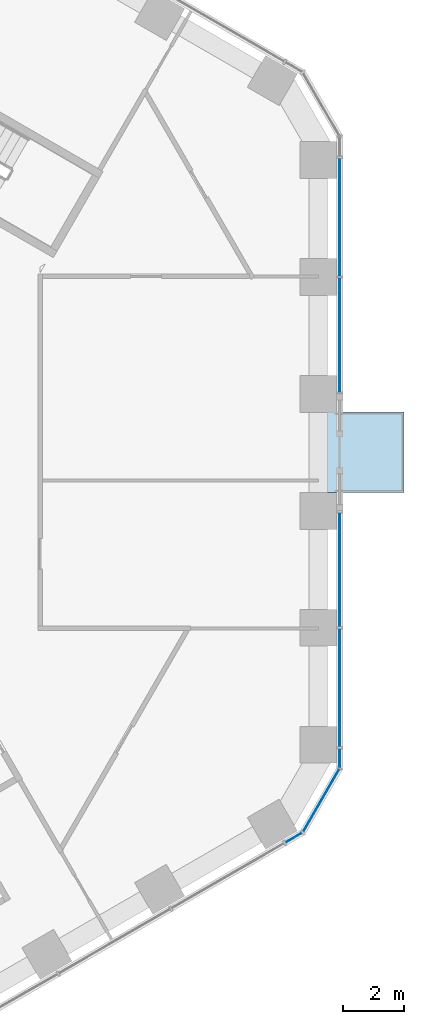
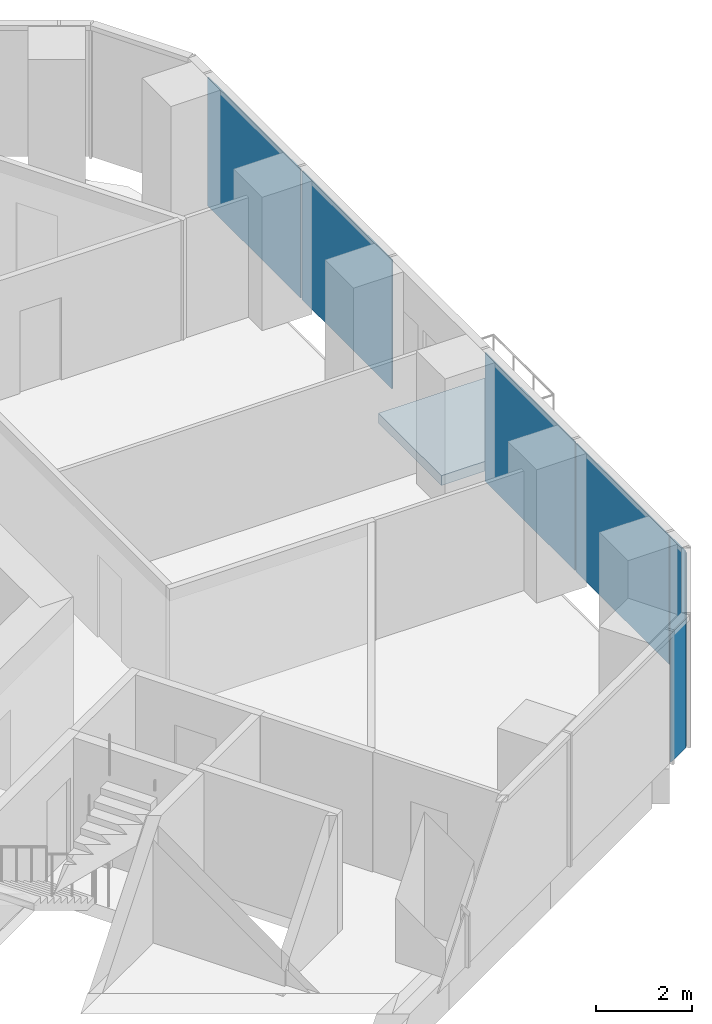
# One storey, part 11 of 20: 7 plates, 1 slab, 3 elements without a shape of their own.
"""IFC4 building model written with IfcOpenShell, lengths in metres."""

from ifc_helpers import new_model, si_unit, direction, frame, origin, origin_2d, place, context, subcontext, project, spatial, polyline, rectangle, outline, extrude, material, layer, layer_set, type_object, element, aggregate, save


model = new_model("IFC4")

# Units and contexts
model_context = context("Model", 3, precision=1e-05, world=origin(), true_north=direction((0.0, 1.0)))
body_context = subcontext(model_context, "Body", "Model", "MODEL_VIEW")
ifc_project = project(units=[si_unit("LENGTHUNIT", "METRE"), si_unit("AREAUNIT", "SQUARE_METRE"), si_unit("VOLUMEUNIT", "CUBIC_METRE"), si_unit("PLANEANGLEUNIT", "RADIAN"), si_unit("MASSUNIT", "GRAM", prefix="KILO")], contexts=[model_context])

# Site, building, storey
site_placement = place(None, origin())
site = spatial("IfcSite", under=ifc_project, at=site_placement, CompositionType="ELEMENT")
building_placement = place(site_placement, origin())
building = spatial("IfcBuilding", under=site, at=building_placement, Name="Ayvan Gate Tower", CompositionType="ELEMENT")
storey_placement = place(building_placement, frame((0.0, 0.0, 59.5)))
storey = spatial("IfcBuildingStorey", under=building, at=storey_placement, Name="L15", CompositionType="ELEMENT", Elevation=59.5)

# Slab
ifc_material_1 = material(Name="Concrete C40/50", Category="concrete")
ifc_layer_1 = layer(ifc_material_1, 0.25)
ifc_layer_set_1 = layer_set([ifc_layer_1], Name="Concrete C40/50")
slab_type = type_object("IfcSlabType", Name="Balcony slab 250", PredefinedType="FLOOR", material=ifc_layer_set_1)
slab_placement = place(storey_placement, frame((0.0, 0.0, -0.25)))
element("IfcSlab", 1, at=slab_placement, inside=storey, type_object=slab_type, Name="Balcony slab BAL-L15-0", PredefinedType="FLOOR", context=body_context, shape_type="SweptSolid", body=[
    extrude(outline(polyline([(20.78466796875, -1.31640625), (20.78466796875, 1.31640625), (23.584716796875, 1.31640625), (23.584716796875, -1.31640625), (20.78466796875, -1.31640625)])), origin(), (0.0, 0.0, 1.0), 0.25),
])

# Curtain wall, plates
ifc_material_2 = material(Name="Bronze anodised aluminium", Category="aluminium")
ifc_layer_2 = layer(ifc_material_2, 0.199951171875)
ifc_layer_set_2 = layer_set([ifc_layer_2], Name="Bronze anodised aluminium")
curtain_wall_type_1 = type_object("IfcCurtainWallType", Name="Stick curtain wall CW-1", PredefinedType="NOTDEFINED", material=ifc_layer_set_2)
curtain_wall_1_placement = place(storey_placement, origin())
curtain_wall_1 = element("IfcCurtainWall", 2, at=curtain_wall_1_placement, inside=storey, type_object=curtain_wall_type_1, Name="Stick curtain wall CW-1 L15", PredefinedType="NOTDEFINED")
ifc_material_3 = material(Name="Clear low-iron laminated glass", Category="glass")
ifc_layer_3 = layer(ifc_material_3, 0.028076171875)
ifc_layer_set_3 = layer_set([ifc_layer_3], Name="Clear low-iron laminated glass")
plate_type_1 = type_object("IfcPlateType", Name="Stick curtain wall CW-1 glass panel", PredefinedType="CURTAIN_PANEL", material=ifc_layer_set_3)
plate_1_placement = place(storey_placement, frame((21.484619140625, -7.701904296875, 0.0), z_axis=(0.0, 0.0, 1.0), x_axis=(0.0, 1.0, 0.0)))
plate_1 = element("IfcPlate", 3, at=plate_1_placement, type_object=plate_type_1, Name="CW-1 glass panel 1", PredefinedType="CURTAIN_PANEL", context=body_context, shape_type="SweptSolid", body=[
    extrude(rectangle(XDim=3.885986328125, YDim=0.028076171875, at=origin_2d()), origin(), (0.0, 0.0, 1.0), 3.280029296875),
])
plate_2_placement = place(storey_placement, frame((21.484619140625, -3.8193359375, 0.0), z_axis=(0.0, 0.0, 1.0), x_axis=(0.0, 1.0, 0.0)))
plate_2 = element("IfcPlate", 4, at=plate_2_placement, type_object=plate_type_1, Name="CW-1 glass panel 2", PredefinedType="CURTAIN_PANEL", context=body_context, shape_type="SweptSolid", body=[
    extrude(rectangle(XDim=3.759033203125, YDim=0.028076171875, at=origin_2d()), origin(), (0.0, 0.0, 1.0), 3.280029296875),
])
aggregate(curtain_wall_1, [plate_1, plate_2])

curtain_wall_2_placement = place(storey_placement, origin())
curtain_wall_2 = element("IfcCurtainWall", 5, at=curtain_wall_2_placement, inside=storey, type_object=curtain_wall_type_1, Name="Stick curtain wall CW-1 L15", PredefinedType="NOTDEFINED")
plate_3_placement = place(storey_placement, frame((21.484619140625, 3.819580078125, 0.0), z_axis=(0.0, 0.0, 1.0), x_axis=(0.0, 1.0, 0.0)))
plate_3 = element("IfcPlate", 6, at=plate_3_placement, type_object=plate_type_1, Name="CW-1 glass panel 1", PredefinedType="CURTAIN_PANEL", context=body_context, shape_type="SweptSolid", body=[
    extrude(rectangle(XDim=3.759033203125, YDim=0.028076171875, at=origin_2d()), origin(), (0.0, 0.0, 1.0), 3.280029296875),
])
plate_4_placement = place(storey_placement, frame((21.484619140625, 7.701904296875, 0.0), z_axis=(0.0, 0.0, 1.0), x_axis=(0.0, 1.0, 0.0)))
plate_4 = element("IfcPlate", 7, at=plate_4_placement, type_object=plate_type_1, Name="CW-1 glass panel 2", PredefinedType="CURTAIN_PANEL", context=body_context, shape_type="SweptSolid", body=[
    extrude(rectangle(XDim=3.8857421875, YDim=0.028076171875, at=origin_2d()), origin(), (0.0, 0.0, 1.0), 3.280029296875),
])
aggregate(curtain_wall_2, [plate_3, plate_4])

ifc_layer_4 = layer(ifc_material_2, 0.199951171875)
ifc_layer_set_4 = layer_set([ifc_layer_4], Name="Bronze anodised aluminium")
curtain_wall_type_2 = type_object("IfcCurtainWallType", Name="Stick curtain wall CW-6", PredefinedType="NOTDEFINED", material=ifc_layer_set_4)
curtain_wall_3_placement = place(storey_placement, origin())
curtain_wall_3 = element("IfcCurtainWall", 8, at=curtain_wall_3_placement, inside=storey, type_object=curtain_wall_type_2, Name="Stick curtain wall CW-6 L15", PredefinedType="NOTDEFINED")
ifc_layer_5 = layer(ifc_material_3, 0.028076171875)
ifc_layer_set_5 = layer_set([ifc_layer_5], Name="Clear low-iron laminated glass")
plate_type_2 = type_object("IfcPlateType", Name="Stick curtain wall CW-6 glass panel", PredefinedType="CURTAIN_PANEL", material=ifc_layer_set_5)
plate_5_placement = place(storey_placement, frame((19.985107421875, -12.584716796875, 0.0), z_axis=(0.0, 0.0, 1.0), x_axis=(0.866025403784, 0.5, 0.0)))
plate_5 = element("IfcPlate", 9, at=plate_5_placement, type_object=plate_type_2, Name="CW-6 glass panel 1", PredefinedType="CURTAIN_PANEL", context=body_context, shape_type="SweptSolid", body=[
    extrude(rectangle(XDim=0.625, YDim=0.028076171875, at=origin_2d()), origin(), (0.0, 0.0, 1.0), 3.280029296875),
])
plate_6_placement = place(storey_placement, frame((20.880859375, -11.370361328125, 0.0), z_axis=(0.0, 0.0, 1.0), x_axis=(0.5, 0.866025403784, 0.0)))
plate_6 = element("IfcPlate", 10, at=plate_6_placement, type_object=plate_type_2, Name="CW-6 glass panel 2", PredefinedType="CURTAIN_PANEL", context=body_context, shape_type="SweptSolid", body=[
    extrude(rectangle(XDim=2.364501953125, YDim=0.028076171875, at=origin_2d()), origin(), (0.0, 0.0, 1.0), 3.280029296875),
])
plate_7_placement = place(storey_placement, frame((21.484619140625, -9.9873046875, 0.0), z_axis=(0.0, 0.0, 1.0), x_axis=(0.0, 1.0, 0.0)))
plate_7 = element("IfcPlate", 11, at=plate_7_placement, type_object=plate_type_2, Name="CW-6 glass panel 3", PredefinedType="CURTAIN_PANEL", context=body_context, shape_type="SweptSolid", body=[
    extrude(rectangle(XDim=0.625, YDim=0.028076171875, at=origin_2d()), origin(), (0.0, 0.0, 1.0), 3.280029296875),
])
aggregate(curtain_wall_3, [plate_5, plate_6, plate_7])

save(model, "model.ifc")
